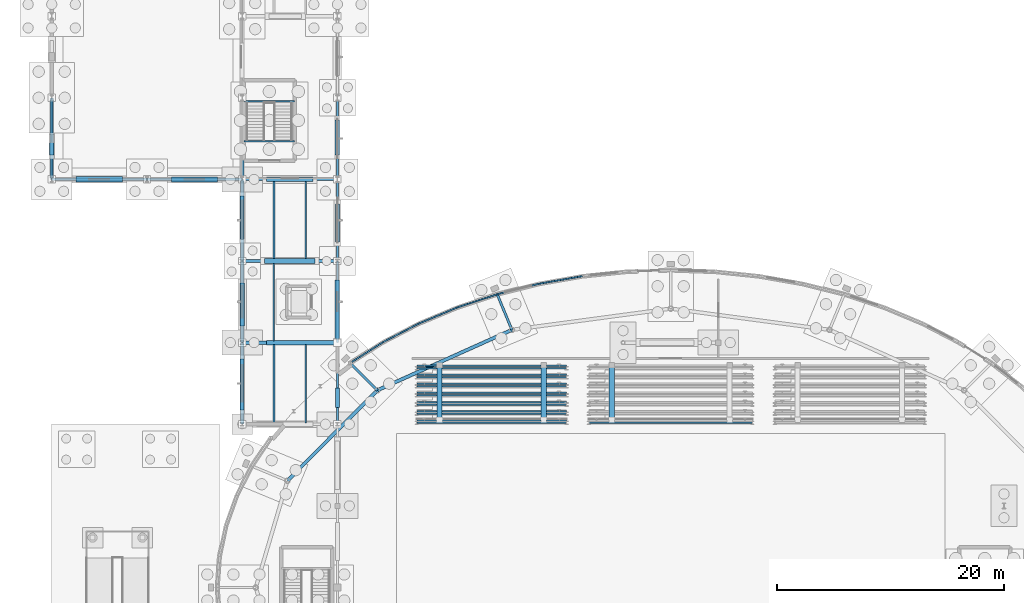
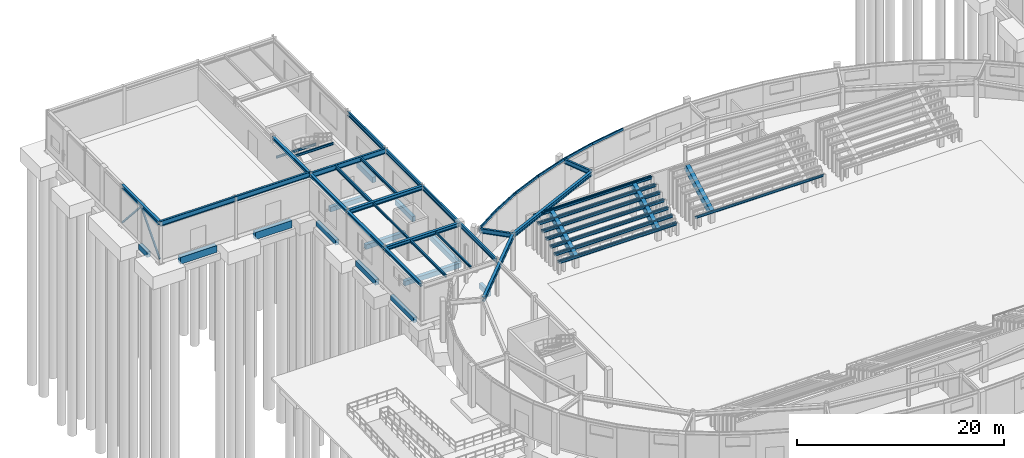
# One storey, part 39 of 93: 62 beams, 2 members.
"""IFC4 building model written with IfcOpenShell, lengths in metres."""

from ifc_helpers import new_model, si_unit, derived_unit, direction, frame, origin, origin_2d, place, context, subcontext, project, spatial, rectangle, hollow_rectangle, i_section, extrude, material, material_profile, profile_set, type_object, element, save


model = new_model("IFC4")

# Units and contexts
model_context = context("Model", 3, precision=1e-05, world=origin(), true_north=direction((0.0, 1.0)))
body_context = subcontext(model_context, "Body", "Model", "MODEL_VIEW")
ifc_project = project(units=[si_unit("LENGTHUNIT", "METRE"), si_unit("AREAUNIT", "SQUARE_METRE"), si_unit("VOLUMEUNIT", "CUBIC_METRE"), si_unit("PLANEANGLEUNIT", "RADIAN"), si_unit("MASSUNIT", "GRAM", prefix="KILO"), derived_unit("THERMALTRANSMITTANCEUNIT", [(si_unit("MASSUNIT", "GRAM", prefix="KILO"), 1), (si_unit("TIMEUNIT", "SECOND"), -3), (si_unit("THERMODYNAMICTEMPERATUREUNIT", "KELVIN"), -1)])], contexts=[model_context])

# Site, building, storey
site_placement = place(None, origin())
site = spatial("IfcSite", under=ifc_project, at=site_placement, CompositionType="ELEMENT")
building_placement = place(site_placement, origin())
building = spatial("IfcBuilding", under=site, at=building_placement, Name="Kharveza Railside Sports Centre", CompositionType="ELEMENT")
storey_placement = place(building_placement, origin())
storey = spatial("IfcBuildingStorey", under=building, at=storey_placement, Name="L00", CompositionType="ELEMENT", Elevation=0.0)

# Beams
ifc_material_1 = material(Name="Steel S355J2", Category="steel")
ifc_material_profile_1 = material_profile(ifc_material_1, i_section(OverallWidth=0.219970703125, OverallDepth=0.60009765625, WebThickness=0.011962890625, FlangeThickness=0.01904296875, FilletRadius=0.02392578125, at=origin_2d()), Name="IPE 600")
ifc_profile_set_1 = profile_set([ifc_material_profile_1], Name="Steel S355J2")
beam_type_1 = type_object("IfcBeamType", Name="BM-G01", PredefinedType="T_BEAM", material=ifc_profile_set_1)
beam_1_placement = place(storey_placement, frame((0.0, 86.39990234375, 4.199951171875), z_axis=(1.0, 0.0, 0.0), x_axis=(0.0, 1.0, 0.0)))
element("IfcBeam", 1, at=beam_1_placement, inside=storey, type_object=beam_type_1, Name="BM-EW-L00-B01-X0-Y864", PredefinedType="T_BEAM", context=body_context, shape_type="SweptSolid", body=[
    extrude(i_section(OverallWidth=0.219970703125, OverallDepth=0.60009765625, WebThickness=0.011962890625, FlangeThickness=0.01904296875, FilletRadius=0.02392578125, at=origin_2d()), origin(), (0.0, 0.0, 1.0), 8.39990234375),
])
beam_2_placement = place(storey_placement, frame((8.39990234375, 86.39990234375, 4.199951171875), z_axis=(1.0, 0.0, 0.0), x_axis=(0.0, 1.0, 0.0)))
element("IfcBeam", 2, at=beam_2_placement, inside=storey, type_object=beam_type_1, Name="BM-EW-L00-B01-X84-Y864", PredefinedType="T_BEAM", context=body_context, shape_type="SweptSolid", body=[
    extrude(i_section(OverallWidth=0.219970703125, OverallDepth=0.60009765625, WebThickness=0.011962890625, FlangeThickness=0.01904296875, FilletRadius=0.02392578125, at=origin_2d()), origin(), (0.0, 0.0, 1.0), 8.400146484375),
])
beam_3_placement = place(storey_placement, frame((16.800048828125, 86.39990234375, 4.02001953125), z_axis=(1.0, 0.0, 0.0), x_axis=(0.0, 1.0, 0.0)))
element("IfcBeam", 3, at=beam_3_placement, inside=storey, type_object=beam_type_1, Name="BM-EW-L00-B01-X168-Y864", PredefinedType="T_BEAM", context=body_context, shape_type="SweptSolid", body=[
    extrude(i_section(OverallWidth=0.219970703125, OverallDepth=0.60009765625, WebThickness=0.011962890625, FlangeThickness=0.01904296875, FilletRadius=0.02392578125, at=origin_2d()), origin(), (0.0, 0.0, 1.0), 8.39990234375),
])
ifc_material_profile_2 = material_profile(ifc_material_1, i_section(OverallWidth=0.2099609375, OverallDepth=0.550048828125, WebThickness=0.010986328125, FlangeThickness=0.01708984375, FilletRadius=0.02392578125, at=origin_2d()), Name="IPE 550")
ifc_profile_set_2 = profile_set([ifc_material_profile_2], Name="Steel S355J2")
beam_type_2 = type_object("IfcBeamType", Name="BM-G02", PredefinedType="T_BEAM", material=ifc_profile_set_2)
for number, where, z_axis, x_axis, name in (
    (4, (40.59375, 73.12744140625, 4.0400390625), (-0.382666779591, 0.92388643014, 0.0), (-0.92388643014, -0.382666779591, 0.0), "BM-DRAD-L00-06"),
    (5, (28.719970703125, 67.794921875, 4.0400390625), (-0.707142683133, 0.707070877417, 0.0), (-0.707070877417, -0.707142683133, 0.0), "BM-DRAD-L00-07"),
):
    element("IfcBeam", number, at=place(storey_placement, frame(where, z_axis=z_axis, x_axis=x_axis)), inside=storey, type_object=beam_type_2, Name=name, PredefinedType="T_BEAM", context=body_context, shape_type="SweptSolid", body=[
        extrude(i_section(OverallWidth=0.2099609375, OverallDepth=0.550048828125, WebThickness=0.010986328125, FlangeThickness=0.01708984375, FilletRadius=0.02392578125, at=origin_2d()), origin(), (0.0, 0.0, 1.0), 3.39990234375),
    ])
ifc_material_profile_3 = material_profile(ifc_material_1, i_section(OverallWidth=0.199951171875, OverallDepth=0.5, WebThickness=0.01025390625, FlangeThickness=0.01611328125, FilletRadius=0.02099609375, at=origin_2d()), Name="IPE 500")
ifc_profile_set_3 = profile_set([ifc_material_profile_3], Name="Steel S355J2")
beam_type_3 = type_object("IfcBeamType", Name="BM-G03", PredefinedType="T_BEAM", material=ifc_profile_set_3)
for number, where, z_axis, x_axis, name in (
    (6, (25.199951171875, 64.800048828125, 4.070068359375), (0.0, 1.0, 0.0), (-1.0, 0.0, 0.0), "BM-NS-L00-B03-X252-Y648"),
    (7, (25.199951171875, 72.0, 4.070068359375), (0.0, 1.0, 0.0), (-1.0, 0.0, 0.0), "BM-NS-L00-B03-X252-Y720"),
    (8, (25.199951171875, 79.199951171875, 4.070068359375), (0.0, 1.0, 0.0), (-1.0, 0.0, 0.0), "BM-NS-L00-B03-X252-Y792"),
):
    element("IfcBeam", number, at=place(storey_placement, frame(where, z_axis=z_axis, x_axis=x_axis)), inside=storey, type_object=beam_type_3, Name=name, PredefinedType="T_BEAM", context=body_context, shape_type="SweptSolid", body=[
        extrude(i_section(OverallWidth=0.199951171875, OverallDepth=0.5, WebThickness=0.01025390625, FlangeThickness=0.01611328125, FilletRadius=0.02099609375, at=origin_2d()), origin(), (0.0, 0.0, 1.0), 7.199951171875),
    ])
beam_4_placement = place(storey_placement, frame((25.199951171875, 86.39990234375, 4.070068359375), z_axis=(0.0, 1.0, 0.0), x_axis=(-1.0, 0.0, 0.0)))
element("IfcBeam", 9, at=beam_4_placement, inside=storey, type_object=beam_type_3, Name="BM-NS-L00-B03-X252-Y864", PredefinedType="T_BEAM", context=body_context, shape_type="SweptSolid", body=[
    extrude(i_section(OverallWidth=0.199951171875, OverallDepth=0.5, WebThickness=0.01025390625, FlangeThickness=0.01611328125, FilletRadius=0.02099609375, at=origin_2d()), origin(), (0.0, 0.0, 1.0), 7.2001953125),
])
ifc_material_profile_4 = material_profile(ifc_material_1, i_section(OverallWidth=0.300048828125, OverallDepth=0.5, WebThickness=0.014404296875, FlangeThickness=0.028076171875, FilletRadius=0.027099609375, at=origin_2d()), Name="HEB 500")
ifc_profile_set_4 = profile_set([ifc_material_profile_4], Name="Steel S355J2")
beam_type_4 = type_object("IfcBeamType", Name="BM-G05", PredefinedType="T_BEAM", material=ifc_profile_set_4)
beam_5_placement = place(storey_placement, frame((16.800048828125, 79.199951171875, 4.070068359375), z_axis=(1.0, 0.0, 0.0), x_axis=(0.0, 1.0, 0.0)))
element("IfcBeam", 10, at=beam_5_placement, inside=storey, type_object=beam_type_4, Name="BM-EW-L00-B05-X168-Y792", PredefinedType="T_BEAM", context=body_context, shape_type="SweptSolid", body=[
    extrude(i_section(OverallWidth=0.300048828125, OverallDepth=0.5, WebThickness=0.014404296875, FlangeThickness=0.028076171875, FilletRadius=0.027099609375, at=origin_2d()), origin(), (0.0, 0.0, 1.0), 8.39990234375),
])
ifc_material_profile_5 = material_profile(ifc_material_1, i_section(OverallWidth=0.300048828125, OverallDepth=0.449951171875, WebThickness=0.013916015625, FlangeThickness=0.02587890625, FilletRadius=0.027099609375, at=origin_2d()), Name="HEB 450")
ifc_profile_set_5 = profile_set([ifc_material_profile_5], Name="Steel S355J2")
beam_type_5 = type_object("IfcBeamType", Name="BM-G06", PredefinedType="T_BEAM", material=ifc_profile_set_5)
beam_6_placement = place(storey_placement, frame((16.800048828125, 72.0, 4.094970703125), z_axis=(1.0, 0.0, 0.0), x_axis=(0.0, 1.0, 0.0)))
element("IfcBeam", 11, at=beam_6_placement, inside=storey, type_object=beam_type_5, Name="BM-EW-L00-B06-X168-Y720", PredefinedType="T_BEAM", context=body_context, shape_type="SweptSolid", body=[
    extrude(i_section(OverallWidth=0.300048828125, OverallDepth=0.449951171875, WebThickness=0.013916015625, FlangeThickness=0.02587890625, FilletRadius=0.027099609375, at=origin_2d()), origin(), (0.0, 0.0, 1.0), 8.39990234375),
])
ifc_material_profile_6 = material_profile(ifc_material_1, i_section(OverallWidth=0.300048828125, OverallDepth=0.489990234375, WebThickness=0.011962890625, FlangeThickness=0.02294921875, FilletRadius=0.027099609375, at=origin_2d()), Name="HEA 500")
ifc_profile_set_6 = profile_set([ifc_material_profile_6], Name="Steel S355J2")
beam_type_6 = type_object("IfcBeamType", Name="BM-G08", PredefinedType="T_BEAM", material=ifc_profile_set_6)
beam_7_placement = place(storey_placement, frame((40.59375, 73.12744140625, 4.070068359375), z_axis=(-0.912228335917, -0.409682148928, 0.0), x_axis=(0.409682148928, -0.912228335917, 0.0)))
element("IfcBeam", 12, at=beam_7_placement, inside=storey, type_object=beam_type_6, Name="BM-DRING-L00-06", PredefinedType="T_BEAM", context=body_context, shape_type="SweptSolid", body=[
    extrude(i_section(OverallWidth=0.300048828125, OverallDepth=0.489990234375, WebThickness=0.011962890625, FlangeThickness=0.02294921875, FilletRadius=0.027099609375, at=origin_2d()), origin(), (0.0, 0.0, 1.0), 13.016357421875),
])
beam_8_placement = place(storey_placement, frame((28.719970703125, 67.794921875, 4.070068359375), z_axis=(-0.705021062231, -0.709186366064, 0.0), x_axis=(0.709186366064, -0.705021062231, 0.0)))
element("IfcBeam", 13, at=beam_8_placement, inside=storey, type_object=beam_type_6, Name="BM-DRING-L00-07", PredefinedType="T_BEAM", context=body_context, shape_type="SweptSolid", body=[
    extrude(i_section(OverallWidth=0.300048828125, OverallDepth=0.489990234375, WebThickness=0.011962890625, FlangeThickness=0.02294921875, FilletRadius=0.027099609375, at=origin_2d()), origin(), (0.0, 0.0, 1.0), 11.253662109375),
])
ifc_material_2 = material(Name="Concrete C35/45", Category="concrete")
ifc_material_profile_7 = material_profile(ifc_material_2, rectangle(XDim=0.5, YDim=0.800048828125, at=origin_2d()), Name="RCB 500x800")
ifc_profile_set_7 = profile_set([ifc_material_profile_7], Name="Concrete C35/45")
beam_type_7 = type_object("IfcBeamType", Name="BM-RC01", PredefinedType="T_BEAM", material=ifc_profile_set_7)
beam_9_placement = place(storey_placement, frame((2.159912109375, 86.39990234375, -0.820068359375), z_axis=(1.0, 0.0, 0.0), x_axis=(0.0, 1.0, 0.0)))
element("IfcBeam", 14, at=beam_9_placement, inside=storey, type_object=beam_type_7, Name="BM-PLINTH-EW-B25-X0-Y864-1", PredefinedType="T_BEAM", context=body_context, shape_type="SweptSolid", body=[
    extrude(rectangle(XDim=0.5, YDim=0.800048828125, at=origin_2d()), origin(), (0.0, 0.0, 1.0), 4.080078125),
])
ifc_material_profile_8 = material_profile(ifc_material_2, rectangle(XDim=0.39990234375, YDim=0.64990234375, at=origin_2d()), Name="RCB 400x650")
ifc_profile_set_8 = profile_set([ifc_material_profile_8], Name="Concrete C35/45")
beam_type_8 = type_object("IfcBeamType", Name="BM-RC02", PredefinedType="BEAM", material=ifc_profile_set_8)
beam_10_placement = place(storey_placement, frame((0.0, 88.56005859375, -0.7451171875), z_axis=(0.0, 1.0, 0.0), x_axis=(-1.0, 0.0, 0.0)))
element("IfcBeam", 15, at=beam_10_placement, inside=storey, type_object=beam_type_8, Name="BM-PLINTH-NS-B26-X0-Y864-1", PredefinedType="BEAM", context=body_context, shape_type="SweptSolid", body=[
    extrude(rectangle(XDim=0.39990234375, YDim=0.64990234375, at=origin_2d()), origin(), (0.0, 0.0, 1.0), 1.579833984375),
])
beam_11_placement = place(storey_placement, frame((16.800048828125, 73.4599609375, -0.7451171875), z_axis=(0.0, 1.0, 0.0), x_axis=(-1.0, 0.0, 0.0)))
element("IfcBeam", 16, at=beam_11_placement, inside=storey, type_object=beam_type_8, Name="BM-PLINTH-NS-B26-X168-Y720-1", PredefinedType="BEAM", context=body_context, shape_type="SweptSolid", body=[
    extrude(rectangle(XDim=0.39990234375, YDim=0.64990234375, at=origin_2d()), origin(), (0.0, 0.0, 1.0), 3.780029296875),
])
beam_12_placement = place(storey_placement, frame((25.199951171875, 72.0, -0.7451171875), z_axis=(0.0, 1.0, 0.0), x_axis=(-1.0, 0.0, 0.0)))
element("IfcBeam", 17, at=beam_12_placement, inside=storey, type_object=beam_type_8, Name="BM-PLINTH-NS-B26-X252-Y720-1", PredefinedType="BEAM", context=body_context, shape_type="SweptSolid", body=[
    extrude(rectangle(XDim=0.39990234375, YDim=0.64990234375, at=origin_2d()), origin(), (0.0, 0.0, 1.0), 5.5400390625),
])
beam_13_placement = place(storey_placement, frame((25.199951171875, 88.56005859375, -0.7451171875), z_axis=(0.0, 1.0, 0.0), x_axis=(-1.0, 0.0, 0.0)))
element("IfcBeam", 18, at=beam_13_placement, inside=storey, type_object=beam_type_8, Name="BM-PLINTH-NS-B26-X252-Y864-1", PredefinedType="BEAM", context=body_context, shape_type="SweptSolid", body=[
    extrude(rectangle(XDim=0.39990234375, YDim=0.64990234375, at=origin_2d()), origin(), (0.0, 0.0, 1.0), 3.079833984375),
])
ifc_material_3 = material(Name="Precast concrete C40/50", Category="concrete")
ifc_material_profile_9 = material_profile(ifc_material_3, rectangle(XDim=0.449951171875, YDim=0.75, at=origin_2d()), Name="RCB 450x750")
ifc_profile_set_9 = profile_set([ifc_material_profile_9], Name="Precast concrete C40/50")
beam_type_9 = type_object("IfcBeamType", Name="BM-RC04", PredefinedType="BEAM", material=ifc_profile_set_9)
for number, where, z_axis, x_axis, name in (
    (19, (34.199951171875, 70.0, 3.6298828125), (0.0, -0.883895060385, -0.467685281175), (1.0, 0.0, 0.0), "BM-RAKER-N-01"),
    (20, (43.39990234375, 70.0, 3.6298828125), (0.0, -0.883895060385, -0.467685281175), (1.0, 0.0, 0.0), "BM-RAKER-N-02"),
    (21, (49.39990234375, 70.0, 3.6298828125), (0.0, -0.883895060385, -0.467685281175), (1.0, 0.0, 0.0), "BM-RAKER-N-03"),
):
    element("IfcBeam", number, at=place(storey_placement, frame(where, z_axis=z_axis, x_axis=x_axis)), inside=storey, type_object=beam_type_9, Name=name, PredefinedType="BEAM", context=body_context, shape_type="SweptSolid", body=[
        extrude(rectangle(XDim=0.449951171875, YDim=0.75, at=origin_2d()), origin(), (0.0, 0.0, 1.0), 5.4306640625),
    ])
ifc_material_profile_10 = material_profile(ifc_material_2, rectangle(XDim=0.449951171875, YDim=0.85009765625, at=origin_2d()), Name="RCB 450x850")
ifc_profile_set_10 = profile_set([ifc_material_profile_10], Name="Concrete C35/45")
beam_type_10 = type_object("IfcBeamType", Name="BM-RC05", PredefinedType="T_BEAM", material=ifc_profile_set_10)
beam_14_placement = place(storey_placement, frame((10.56005859375, 86.39990234375, -0.844970703125), z_axis=(1.0, 0.0, 0.0), x_axis=(0.0, 1.0, 0.0)))
element("IfcBeam", 22, at=beam_14_placement, inside=storey, type_object=beam_type_10, Name="BM-PLINTH-EW-B29-X84-Y864-1", PredefinedType="T_BEAM", context=body_context, shape_type="SweptSolid", body=[
    extrude(rectangle(XDim=0.449951171875, YDim=0.85009765625, at=origin_2d()), origin(), (0.0, 0.0, 1.0), 4.079833984375),
])
ifc_material_profile_11 = material_profile(ifc_material_2, rectangle(XDim=0.35009765625, YDim=0.60009765625, at=origin_2d()), Name="RCB 350x600")
ifc_profile_set_11 = profile_set([ifc_material_profile_11], Name="Concrete C35/45")
beam_type_11 = type_object("IfcBeamType", Name="BM-RC06", PredefinedType="BEAM", material=ifc_profile_set_11)
beam_15_placement = place(storey_placement, frame((16.800048828125, 66.06005859375, -0.719970703125), z_axis=(0.0, 1.0, 0.0), x_axis=(-1.0, 0.0, 0.0)))
element("IfcBeam", 23, at=beam_15_placement, inside=storey, type_object=beam_type_11, Name="BM-PLINTH-NS-B30-X168-Y648-1", PredefinedType="BEAM", context=body_context, shape_type="SweptSolid", body=[
    extrude(rectangle(XDim=0.35009765625, YDim=0.60009765625, at=origin_2d()), origin(), (0.0, 0.0, 1.0), 4.47998046875),
])
beam_16_placement = place(storey_placement, frame((16.800048828125, 81.159912109375, -0.719970703125), z_axis=(0.0, 1.0, 0.0), x_axis=(-1.0, 0.0, 0.0)))
element("IfcBeam", 24, at=beam_16_placement, inside=storey, type_object=beam_type_11, Name="BM-PLINTH-NS-B30-X168-Y792-1", PredefinedType="BEAM", context=body_context, shape_type="SweptSolid", body=[
    extrude(rectangle(XDim=0.35009765625, YDim=0.60009765625, at=origin_2d()), origin(), (0.0, 0.0, 1.0), 3.780029296875),
])
beam_17_placement = place(storey_placement, frame((25.199951171875, 66.260009765625, -0.719970703125), z_axis=(0.0, 1.0, 0.0), x_axis=(-1.0, 0.0, 0.0)))
element("IfcBeam", 25, at=beam_17_placement, inside=storey, type_object=beam_type_11, Name="BM-PLINTH-NS-B30-X252-Y648-1", PredefinedType="BEAM", context=body_context, shape_type="SweptSolid", body=[
    extrude(rectangle(XDim=0.35009765625, YDim=0.60009765625, at=origin_2d()), origin(), (0.0, 0.0, 1.0), 1.717041015625),
])
beam_18_placement = place(storey_placement, frame((25.199951171875, 80.860107421875, -0.719970703125), z_axis=(0.0, 1.0, 0.0), x_axis=(-1.0, 0.0, 0.0)))
element("IfcBeam", 26, at=beam_18_placement, inside=storey, type_object=beam_type_11, Name="BM-PLINTH-NS-B30-X252-Y792-1", PredefinedType="BEAM", context=body_context, shape_type="SweptSolid", body=[
    extrude(rectangle(XDim=0.35009765625, YDim=0.60009765625, at=origin_2d()), origin(), (0.0, 0.0, 1.0), 3.3798828125),
])
ifc_material_profile_12 = material_profile(ifc_material_2, rectangle(XDim=0.39990234375, YDim=0.550048828125, at=origin_2d()), Name="RCB 400x550")
ifc_profile_set_12 = profile_set([ifc_material_profile_12], Name="Concrete C35/45")
beam_type_12 = type_object("IfcBeamType", Name="BM-RC07", PredefinedType="LINTEL", material=ifc_profile_set_12)
beam_19_placement = place(storey_placement, frame((18.9599609375, 72.0, -0.695068359375), z_axis=(1.0, 0.0, 0.0), x_axis=(0.0, 1.0, 0.0)))
element("IfcBeam", 27, at=beam_19_placement, inside=storey, type_object=beam_type_12, Name="BM-PLINTH-EW-B31-X168-Y720-1", PredefinedType="LINTEL", context=body_context, shape_type="SweptSolid", body=[
    extrude(rectangle(XDim=0.39990234375, YDim=0.550048828125, at=origin_2d()), origin(), (0.0, 0.0, 1.0), 6.239990234375),
])
beam_20_placement = place(storey_placement, frame((18.760009765625, 79.199951171875, -0.695068359375), z_axis=(1.0, 0.0, 0.0), x_axis=(0.0, 1.0, 0.0)))
element("IfcBeam", 28, at=beam_20_placement, inside=storey, type_object=beam_type_12, Name="BM-PLINTH-EW-B31-X168-Y792-1", PredefinedType="LINTEL", context=body_context, shape_type="SweptSolid", body=[
    extrude(rectangle(XDim=0.39990234375, YDim=0.550048828125, at=origin_2d()), origin(), (0.0, 0.0, 1.0), 4.47998046875),
])
beam_21_placement = place(storey_placement, frame((18.9599609375, 86.39990234375, -0.695068359375), z_axis=(1.0, 0.0, 0.0), x_axis=(0.0, 1.0, 0.0)))
element("IfcBeam", 29, at=beam_21_placement, inside=storey, type_object=beam_type_12, Name="BM-PLINTH-EW-B31-X168-Y864-1", PredefinedType="LINTEL", context=body_context, shape_type="SweptSolid", body=[
    extrude(rectangle(XDim=0.39990234375, YDim=0.550048828125, at=origin_2d()), origin(), (0.0, 0.0, 1.0), 4.080078125),
])
ifc_material_profile_13 = material_profile(ifc_material_1, i_section(OverallWidth=0.179931640625, OverallDepth=0.39990234375, WebThickness=0.008544921875, FlangeThickness=0.013427734375, FilletRadius=0.02099609375, at=origin_2d()), Name="IPE 400")
ifc_profile_set_13 = profile_set([ifc_material_profile_13], Name="Steel S355J2")
beam_type_13 = type_object("IfcBeamType", Name="BM-S01", PredefinedType="BEAM", material=ifc_profile_set_13)
beam_22_placement = place(storey_placement, frame((19.60009765625, 79.346923828125, 4.1201171875), z_axis=(0.0, 1.0, 0.0), x_axis=(-1.0, 0.0, 0.0)))
element("IfcBeam", 30, at=beam_22_placement, inside=storey, type_object=beam_type_13, Name="BM-SEC-L00-B09-X196-Y792", PredefinedType="BEAM", context=body_context, shape_type="SweptSolid", body=[
    extrude(i_section(OverallWidth=0.179931640625, OverallDepth=0.39990234375, WebThickness=0.008544921875, FlangeThickness=0.013427734375, FilletRadius=0.02099609375, at=origin_2d()), origin(), (0.0, 0.0, 1.0), 6.946044921875),
])
ifc_material_profile_14 = material_profile(ifc_material_1, i_section(OverallWidth=0.159912109375, OverallDepth=0.330078125, WebThickness=0.007568359375, FlangeThickness=0.011474609375, FilletRadius=0.01806640625, at=origin_2d()), Name="IPE 330")
ifc_profile_set_14 = profile_set([ifc_material_profile_14], Name="Steel S355J2")
beam_type_14 = type_object("IfcBeamType", Name="BM-S03", PredefinedType="BEAM", material=ifc_profile_set_14)
beam_23_placement = place(storey_placement, frame((19.60009765625, 64.902099609375, 4.155029296875), z_axis=(0.0, 1.0, 0.0), x_axis=(-1.0, 0.0, 0.0)))
element("IfcBeam", 31, at=beam_23_placement, inside=storey, type_object=beam_type_14, Name="BM-SEC-L00-B11-X196-Y648", PredefinedType="BEAM", context=body_context, shape_type="SweptSolid", body=[
    extrude(i_section(OverallWidth=0.159912109375, OverallDepth=0.330078125, WebThickness=0.007568359375, FlangeThickness=0.011474609375, FilletRadius=0.01806640625, at=origin_2d()), origin(), (0.0, 0.0, 1.0), 6.950927734375),
])
beam_24_placement = place(storey_placement, frame((22.39990234375, 79.346923828125, 4.155029296875), z_axis=(0.0, 1.0, 0.0), x_axis=(-1.0, 0.0, 0.0)))
element("IfcBeam", 32, at=beam_24_placement, inside=storey, type_object=beam_type_14, Name="BM-SEC-L00-B11-X224-Y792", PredefinedType="BEAM", context=body_context, shape_type="SweptSolid", body=[
    extrude(i_section(OverallWidth=0.159912109375, OverallDepth=0.330078125, WebThickness=0.007568359375, FlangeThickness=0.011474609375, FilletRadius=0.01806640625, at=origin_2d()), origin(), (0.0, 0.0, 1.0), 6.946044921875),
])
ifc_material_profile_15 = material_profile(ifc_material_1, i_section(OverallWidth=0.135009765625, OverallDepth=0.27001953125, WebThickness=0.006591796875, FlangeThickness=0.01025390625, FilletRadius=0.014892578125, at=origin_2d()), Name="IPE 270")
ifc_profile_set_15 = profile_set([ifc_material_profile_15], Name="Steel S355J2")
beam_type_15 = type_object("IfcBeamType", Name="BM-S05", PredefinedType="BEAM", material=ifc_profile_set_15)
for number, where, z_axis, x_axis, name in (
    (33, (32.199951171875, 69.739990234375, 3.85498046875), (1.0, 0.0, 0.0), (0.0, 1.0, 0.0), "BM-TSTR-N01-S1-1"),
    (34, (32.199951171875, 69.9599609375, 3.85498046875), (1.0, 0.0, 0.0), (0.0, 1.0, 0.0), "BM-TSTR-N01-S1-2"),
    (35, (32.199951171875, 68.93994140625, 3.43505859375), (1.0, 0.0, 0.0), (0.0, 1.0, 0.0), "BM-TSTR-N02-S1-1"),
    (36, (32.199951171875, 69.159912109375, 3.43505859375), (1.0, 0.0, 0.0), (0.0, 1.0, 0.0), "BM-TSTR-N02-S1-2"),
    (37, (32.199951171875, 68.139892578125, 3.014892578125), (1.0, 0.0, 0.0), (0.0, 1.0, 0.0), "BM-TSTR-N03-S1-1"),
    (38, (32.199951171875, 68.360107421875, 3.014892578125), (1.0, 0.0, 0.0), (0.0, 1.0, 0.0), "BM-TSTR-N03-S1-2"),
    (39, (32.199951171875, 67.340087890625, 2.594970703125), (1.0, 0.0, 0.0), (0.0, 1.0, 0.0), "BM-TSTR-N04-S1-1"),
    (40, (32.199951171875, 67.56005859375, 2.594970703125), (1.0, 0.0, 0.0), (0.0, 1.0, 0.0), "BM-TSTR-N04-S1-2"),
    (41, (32.199951171875, 66.5400390625, 2.156982421875), (1.0, 0.0, 0.0), (0.0, 1.0, 0.0), "BM-TSTR-N05-S1-1"),
    (42, (32.199951171875, 66.760009765625, 2.156982421875), (1.0, 0.0, 0.0), (0.0, 1.0, 0.0), "BM-TSTR-N05-S1-2"),
    (43, (32.199951171875, 65.739990234375, 1.737060546875), (1.0, 0.0, 0.0), (0.0, 1.0, 0.0), "BM-TSTR-N06-S1-1"),
    (44, (32.199951171875, 65.9599609375, 1.737060546875), (1.0, 0.0, 0.0), (0.0, 1.0, 0.0), "BM-TSTR-N06-S1-2"),
    (45, (32.199951171875, 64.93994140625, 1.31689453125), (1.0, 0.0, 0.0), (0.0, 1.0, 0.0), "BM-TSTR-N07-S1-1"),
    (46, (32.199951171875, 65.159912109375, 1.31689453125), (1.0, 0.0, 0.0), (0.0, 1.0, 0.0), "BM-TSTR-N07-S1-2"),
):
    element("IfcBeam", number, at=place(storey_placement, frame(where, z_axis=z_axis, x_axis=x_axis)), inside=storey, type_object=beam_type_15, Name=name, PredefinedType="BEAM", context=body_context, shape_type="SweptSolid", body=[
        extrude(i_section(OverallWidth=0.135009765625, OverallDepth=0.27001953125, WebThickness=0.006591796875, FlangeThickness=0.01025390625, FilletRadius=0.014892578125, at=origin_2d()), origin(), (0.0, 0.0, 1.0), 13.199951171875),
    ])
beam_25_placement = place(storey_placement, frame((47.39990234375, 64.93994140625, 1.31689453125), z_axis=(1.0, 0.0, 0.0), x_axis=(0.0, 1.0, 0.0)))
element("IfcBeam", 47, at=beam_25_placement, inside=storey, type_object=beam_type_15, Name="BM-TSTR-N07-S2-1", PredefinedType="BEAM", context=body_context, shape_type="SweptSolid", body=[
    extrude(i_section(OverallWidth=0.135009765625, OverallDepth=0.27001953125, WebThickness=0.006591796875, FlangeThickness=0.01025390625, FilletRadius=0.014892578125, at=origin_2d()), origin(), (0.0, 0.0, 1.0), 14.400146484375),
])
beam_26_placement = place(storey_placement, frame((22.39990234375, 64.902099609375, 4.18505859375), z_axis=(0.0, 1.0, 0.0), x_axis=(-1.0, 0.0, 0.0)))
element("IfcBeam", 48, at=beam_26_placement, inside=storey, type_object=beam_type_15, Name="BM-SEC-L00-B13-X224-Y648", PredefinedType="BEAM", context=body_context, shape_type="SweptSolid", body=[
    extrude(i_section(OverallWidth=0.135009765625, OverallDepth=0.27001953125, WebThickness=0.006591796875, FlangeThickness=0.01025390625, FilletRadius=0.014892578125, at=origin_2d()), origin(), (0.0, 0.0, 1.0), 6.950927734375),
])
beam_27_placement = place(storey_placement, frame((19.60009765625, 72.14697265625, 4.18505859375), z_axis=(0.0, 1.0, 0.0), x_axis=(-1.0, 0.0, 0.0)))
element("IfcBeam", 49, at=beam_27_placement, inside=storey, type_object=beam_type_15, Name="BM-SEC-L00-B13-X196-Y720", PredefinedType="BEAM", context=body_context, shape_type="SweptSolid", body=[
    extrude(i_section(OverallWidth=0.135009765625, OverallDepth=0.27001953125, WebThickness=0.006591796875, FlangeThickness=0.01025390625, FilletRadius=0.014892578125, at=origin_2d()), origin(), (0.0, 0.0, 1.0), 6.906005859375),
])
for number, where, z_axis, x_axis, name in (
    (50, (16.97998046875, 93.280029296875, 1.929931640625), (1.0, 0.0, 0.0), (0.0, 1.0, 0.0), "BM-HLND-ST6-L00"),
    (51, (16.97998046875, 89.760009765625, 4.179931640625), (1.0, 0.0, 0.0), (0.0, 1.0, 0.0), "BM-STLND-ST6-L01"),
):
    element("IfcBeam", number, at=place(storey_placement, frame(where, z_axis=z_axis, x_axis=x_axis)), inside=storey, type_object=beam_type_15, Name=name, PredefinedType="BEAM", context=body_context, shape_type="SweptSolid", body=[
        extrude(i_section(OverallWidth=0.135009765625, OverallDepth=0.27001953125, WebThickness=0.006591796875, FlangeThickness=0.01025390625, FilletRadius=0.014892578125, at=origin_2d()), origin(), (0.0, 0.0, 1.0), 4.43994140625),
    ])
ifc_material_profile_16 = material_profile(ifc_material_1, i_section(OverallWidth=0.300048828125, OverallDepth=0.31005859375, WebThickness=0.009033203125, FlangeThickness=0.015380859375, FilletRadius=0.027099609375, at=origin_2d()), Name="HEA 320")
ifc_profile_set_16 = profile_set([ifc_material_profile_16], Name="Steel S355J2")
beam_type_16 = type_object("IfcBeamType", Name="BM-S06", PredefinedType="BEAM", material=ifc_profile_set_16)
for number, where, z_axis, x_axis, name in (
    (52, (16.800048828125, 64.800048828125, 4.1650390625), (0.0, 1.0, 0.0), (-1.0, 0.0, 0.0), "BM-NS-L00-B14-X168-Y648"),
    (53, (16.800048828125, 72.0, 4.1650390625), (0.0, 1.0, 0.0), (-1.0, 0.0, 0.0), "BM-NS-L00-B14-X168-Y720"),
    (54, (16.800048828125, 79.199951171875, 4.1650390625), (0.0, 1.0, 0.0), (-1.0, 0.0, 0.0), "BM-NS-L00-B14-X168-Y792"),
):
    element("IfcBeam", number, at=place(storey_placement, frame(where, z_axis=z_axis, x_axis=x_axis)), inside=storey, type_object=beam_type_16, Name=name, PredefinedType="BEAM", context=body_context, shape_type="SweptSolid", body=[
        extrude(i_section(OverallWidth=0.300048828125, OverallDepth=0.31005859375, WebThickness=0.009033203125, FlangeThickness=0.015380859375, FilletRadius=0.027099609375, at=origin_2d()), origin(), (0.0, 0.0, 1.0), 7.199951171875),
    ])
beam_28_placement = place(storey_placement, frame((16.800048828125, 86.39990234375, 4.1650390625), z_axis=(0.0, 1.0, 0.0), x_axis=(-1.0, 0.0, 0.0)))
element("IfcBeam", 55, at=beam_28_placement, inside=storey, type_object=beam_type_16, Name="BM-NS-L00-B14-X168-Y864", PredefinedType="BEAM", context=body_context, shape_type="SweptSolid", body=[
    extrude(i_section(OverallWidth=0.300048828125, OverallDepth=0.31005859375, WebThickness=0.009033203125, FlangeThickness=0.015380859375, FilletRadius=0.027099609375, at=origin_2d()), origin(), (0.0, 0.0, 1.0), 7.2001953125),
])
ifc_material_profile_17 = material_profile(ifc_material_1, i_section(OverallWidth=0.300048828125, OverallDepth=0.43994140625, WebThickness=0.011474609375, FlangeThickness=0.02099609375, FilletRadius=0.027099609375, at=origin_2d()), Name="HEA 450")
ifc_profile_set_17 = profile_set([ifc_material_profile_17], Name="Steel S355J2")
beam_type_17 = type_object("IfcBeamType", Name="BM-SP01", PredefinedType="SPANDREL", material=ifc_profile_set_17)
beam_29_placement = place(storey_placement, frame((0.0, 86.39990234375, 4.280029296875), z_axis=(0.0, 1.0, 0.0), x_axis=(-1.0, 0.0, 0.0)))
element("IfcBeam", 56, at=beam_29_placement, inside=storey, type_object=beam_type_17, Name="BM-NS-L00-B15-X0-Y864", PredefinedType="SPANDREL", context=body_context, shape_type="SweptSolid", body=[
    extrude(i_section(OverallWidth=0.300048828125, OverallDepth=0.43994140625, WebThickness=0.011474609375, FlangeThickness=0.02099609375, FilletRadius=0.027099609375, at=origin_2d()), origin(), (0.0, 0.0, 1.0), 7.2001953125),
])
ifc_material_profile_18 = material_profile(ifc_material_1, hollow_rectangle(XDim=0.14990234375, YDim=0.300048828125, WallThickness=0.012451171875, InnerFilletRadius=0.012451171875, OuterFilletRadius=0.02490234375, at=origin_2d()), Name="RHS 150x300x12.5")
ifc_profile_set_18 = profile_set([ifc_material_profile_18], Name="Steel S355J2")
beam_type_18 = type_object("IfcBeamType", Name="BM-SP03", PredefinedType="SPANDREL", material=ifc_profile_set_18)
beam_30_placement = place(storey_placement, frame((46.79638671875, 77.862060546875, 4.159912109375), z_axis=(-0.984971163925, -0.172718864739, 0.0), x_axis=(0.172718864739, -0.984971163925, 0.0)))
element("IfcBeam", 57, at=beam_30_placement, inside=storey, type_object=beam_type_18, Name="BM-DCLER-SILL-19", PredefinedType="SPANDREL", context=body_context, shape_type="SweptSolid", body=[
    extrude(hollow_rectangle(XDim=0.14990234375, YDim=0.300048828125, WallThickness=0.012451171875, InnerFilletRadius=0.012451171875, OuterFilletRadius=0.02490234375, at=origin_2d()), origin(), (0.0, 0.0, 1.0), 3.865966796875),
])
beam_31_placement = place(storey_placement, frame((42.988525390625, 77.1943359375, 4.159912109375), z_axis=(-0.970029313946, -0.242987921686, 0.0), x_axis=(0.242987921686, -0.970029313946, 0.0)))
element("IfcBeam", 58, at=beam_31_placement, inside=storey, type_object=beam_type_18, Name="BM-DCLER-SILL-20", PredefinedType="SPANDREL", context=body_context, shape_type="SweptSolid", body=[
    extrude(hollow_rectangle(XDim=0.14990234375, YDim=0.300048828125, WallThickness=0.012451171875, InnerFilletRadius=0.012451171875, OuterFilletRadius=0.02490234375, at=origin_2d()), origin(), (0.0, 0.0, 1.0), 3.81005859375),
])
beam_32_placement = place(storey_placement, frame((39.292724609375, 76.2685546875, 4.159912109375), z_axis=(-0.949327915917, -0.314287301781, 0.0), x_axis=(0.314287301781, -0.949327915917, 0.0)))
element("IfcBeam", 59, at=beam_32_placement, inside=storey, type_object=beam_type_18, Name="BM-DCLER-SILL-21", PredefinedType="SPANDREL", context=body_context, shape_type="SweptSolid", body=[
    extrude(hollow_rectangle(XDim=0.14990234375, YDim=0.300048828125, WallThickness=0.012451171875, InnerFilletRadius=0.012451171875, OuterFilletRadius=0.02490234375, at=origin_2d()), origin(), (0.0, 0.0, 1.0), 3.738037109375),
])
beam_33_placement = place(storey_placement, frame((35.744140625, 75.09375, 4.159912109375), z_axis=(-0.922130522386, -0.386878921219, 0.0), x_axis=(0.386878921219, -0.922130522386, 0.0)))
element("IfcBeam", 60, at=beam_33_placement, inside=storey, type_object=beam_type_18, Name="BM-DCLER-SILL-22", PredefinedType="SPANDREL", context=body_context, shape_type="SweptSolid", body=[
    extrude(hollow_rectangle(XDim=0.14990234375, YDim=0.300048828125, WallThickness=0.012451171875, InnerFilletRadius=0.012451171875, OuterFilletRadius=0.02490234375, at=origin_2d()), origin(), (0.0, 0.0, 1.0), 3.6513671875),
])
beam_34_placement = place(storey_placement, frame((32.377197265625, 73.68115234375, 4.159912109375), z_axis=(-0.887505805709, -0.460796533009, 0.0), x_axis=(0.460796533009, -0.887505805709, 0.0)))
element("IfcBeam", 61, at=beam_34_placement, inside=storey, type_object=beam_type_18, Name="BM-DCLER-SILL-23", PredefinedType="SPANDREL", context=body_context, shape_type="SweptSolid", body=[
    extrude(hollow_rectangle(XDim=0.14990234375, YDim=0.300048828125, WallThickness=0.012451171875, InnerFilletRadius=0.012451171875, OuterFilletRadius=0.02490234375, at=origin_2d()), origin(), (0.0, 0.0, 1.0), 3.552490234375),
])
beam_35_placement = place(storey_placement, frame((29.224365234375, 72.044189453125, 4.159912109375), z_axis=(-0.844419437711, -0.535682567586, 0.0), x_axis=(0.535682567586, -0.844419437711, 0.0)))
element("IfcBeam", 62, at=beam_35_placement, inside=storey, type_object=beam_type_18, Name="BM-DCLER-SILL-24", PredefinedType="SPANDREL", context=body_context, shape_type="SweptSolid", body=[
    extrude(hollow_rectangle(XDim=0.14990234375, YDim=0.300048828125, WallThickness=0.012451171875, InnerFilletRadius=0.012451171875, OuterFilletRadius=0.02490234375, at=origin_2d()), origin(), (0.0, 0.0, 1.0), 3.444580078125),
])

# Members
ifc_material_profile_19 = material_profile(ifc_material_1, hollow_rectangle(XDim=0.179931640625, YDim=0.179931640625, WallThickness=0.010009765625, InnerFilletRadius=0.010009765625, OuterFilletRadius=0.02001953125, at=origin_2d()), Name="SHS 180x180x10.0")
ifc_profile_set_19 = profile_set([ifc_material_profile_19], Name="Steel S355J2")
member_type = type_object("IfcMemberType", Name="MB-BR01", PredefinedType="BRACE", material=ifc_profile_set_19)
for number, where, z_axis, x_axis, name in (
    (63, (0.0, 86.39990234375, 0.0), (0.0, 0.664369431748, 0.747404347163), (-1.0, 0.0, 0.0), "MB-CHEV-NS-023A"),
    (64, (0.0, 93.60009765625, 0.0), (0.0, -0.664369431748, 0.747404347163), (1.0, 0.0, 0.0), "MB-CHEV-NS-023B"),
):
    element("IfcMember", number, at=place(storey_placement, frame(where, z_axis=z_axis, x_axis=x_axis)), inside=storey, type_object=member_type, Name=name, PredefinedType="BRACE", context=body_context, shape_type="SweptSolid", body=[
        extrude(hollow_rectangle(XDim=0.179931640625, YDim=0.179931640625, WallThickness=0.010009765625, InnerFilletRadius=0.010009765625, OuterFilletRadius=0.02001953125, at=origin_2d()), origin(), (0.0, 0.0, 1.0), 5.418701171875),
    ])

save(model, "model.ifc")
